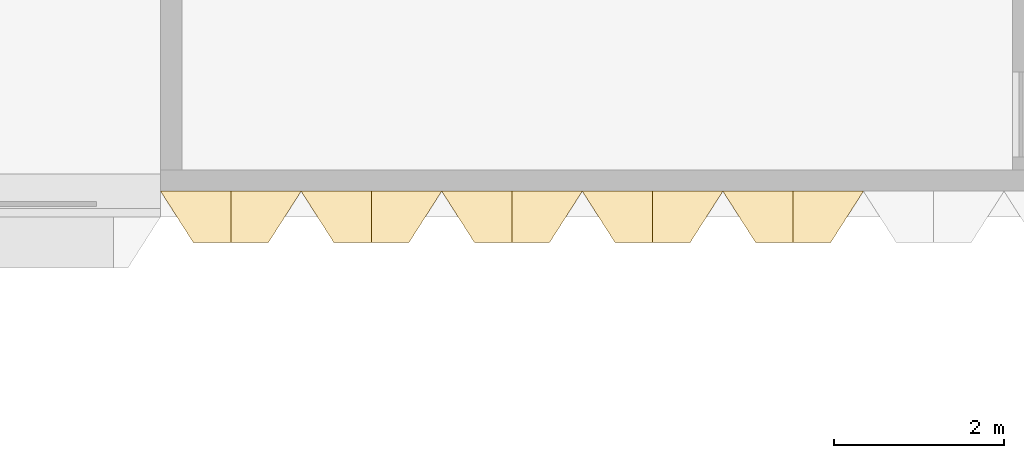
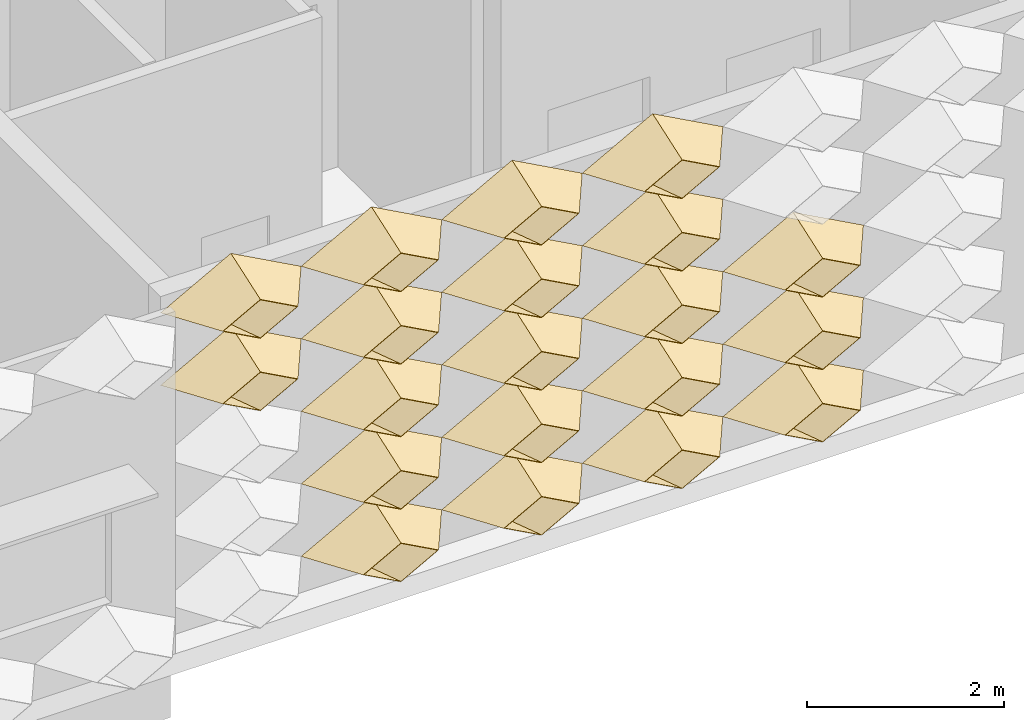
# One storey, part 73 of 87: 20 coverings.
"""IFC4 building model written with IfcOpenShell, lengths in metres."""

from ifc_helpers import new_model, entity, si_unit, direction, frame, origin, place, context, subcontext, project, spatial, material, layer, layer_set, type_object, element, save


model = new_model("IFC4")

# Units and contexts
model_context = context("Model", 3, precision=1e-05, world=origin(), true_north=direction((0.0, 1.0)))
body_context = subcontext(model_context, "Body", "Model", "MODEL_VIEW")
ifc_project = project(units=[si_unit("LENGTHUNIT", "METRE"), si_unit("AREAUNIT", "SQUARE_METRE"), si_unit("VOLUMEUNIT", "CUBIC_METRE"), si_unit("PLANEANGLEUNIT", "RADIAN"), si_unit("MASSUNIT", "GRAM", prefix="KILO")], contexts=[model_context])

# Site, building, storey
site_placement = place(None, origin())
site = spatial("IfcSite", under=ifc_project, at=site_placement, CompositionType="ELEMENT")
building_placement = place(site_placement, origin())
building = spatial("IfcBuilding", under=site, at=building_placement, Name="Lantern Court Research Institute", CompositionType="ELEMENT")
storey_placement = place(building_placement, frame((0.0, 0.0, 5.39990234375)))
storey = spatial("IfcBuildingStorey", under=building, at=storey_placement, Name="L01", CompositionType="ELEMENT", Elevation=5.39990234375)

# Coverings
ifc_material = material(Name="Anodised aluminium", Category="aluminium")
ifc_layer = layer(ifc_material, 0.01611328125)
ifc_layer_set = layer_set([ifc_layer], Name="Anodised aluminium")
covering_type = type_object("IfcCoveringType", Name="Fin cassette 1650 x 900 x 600 aluminium", PredefinedType="CLADDING", material=ifc_layer_set)
covering_1_placement = place(storey_placement, frame((42.074951171875, 82.5, 0.4501953125), z_axis=(0.0, -1.0, 0.0), x_axis=(1.0, 0.0, 0.0)))
cartesian_point_1 = entity("IfcCartesianPoint", [0.824951171875, 0.0])
cartesian_point_2 = entity("IfcCartesianPoint", [0.79150390625, 0.0])
cartesian_point_3 = entity("IfcCartesianPoint", [0.44189453125, 0.0])
cartesian_point_4 = entity("IfcCartesianPoint", [0.43359375, 0.0])
element("IfcCovering", 1, at=covering_1_placement, inside=storey, type_object=covering_type, Name="Fin cassette V6S-L01 1.26", PredefinedType="CLADDING", context=body_context, shape_type="SweptSolid", body=[
    entity("IfcExtrudedAreaSolidTapered", entity("IfcArbitraryProfileDefWithVoids", "AREA", None, entity("IfcPolyline", [cartesian_point_1, entity("IfcCartesianPoint", [0.0, 0.449951171875]), entity("IfcCartesianPoint", [-0.824951171875, 0.0]), entity("IfcCartesianPoint", [0.0, -0.449951171875]), cartesian_point_1]), [entity("IfcPolyline", [cartesian_point_2, entity("IfcCartesianPoint", [0.0, 0.431884765625]), entity("IfcCartesianPoint", [-0.79150390625, 0.0]), entity("IfcCartesianPoint", [0.0, -0.431884765625]), cartesian_point_2])]), entity("IfcAxis2Placement3D", entity("IfcCartesianPoint", [0.0, 0.0, 0.0])), entity("IfcDirection", [0.0, 0.0, 1.0]), 0.60009765625, entity("IfcArbitraryProfileDefWithVoids", "AREA", None, entity("IfcPolyline", [cartesian_point_3, entity("IfcCartesianPoint", [0.0, 0.240966796875]), entity("IfcCartesianPoint", [-0.44189453125, 0.0]), entity("IfcCartesianPoint", [0.0, -0.240966796875]), cartesian_point_3]), [entity("IfcPolyline", [cartesian_point_4, entity("IfcCartesianPoint", [0.0, 0.236572265625]), entity("IfcCartesianPoint", [-0.43359375, 0.0]), entity("IfcCartesianPoint", [0.0, -0.236572265625]), cartesian_point_4])])),
])
covering_2_placement = place(storey_placement, frame((43.72509765625, 82.5, 0.4501953125), z_axis=(0.0, -1.0, 0.0), x_axis=(1.0, 0.0, 0.0)))
cartesian_point_5 = entity("IfcCartesianPoint", [0.824951171875, 0.0])
cartesian_point_6 = entity("IfcCartesianPoint", [0.79150390625, 0.0])
cartesian_point_7 = entity("IfcCartesianPoint", [0.44189453125, 0.0])
cartesian_point_8 = entity("IfcCartesianPoint", [0.43359375, 0.0])
element("IfcCovering", 2, at=covering_2_placement, inside=storey, type_object=covering_type, Name="Fin cassette V6S-L01 1.27", PredefinedType="CLADDING", context=body_context, shape_type="SweptSolid", body=[
    entity("IfcExtrudedAreaSolidTapered", entity("IfcArbitraryProfileDefWithVoids", "AREA", None, entity("IfcPolyline", [cartesian_point_5, entity("IfcCartesianPoint", [0.0, 0.449951171875]), entity("IfcCartesianPoint", [-0.824951171875, 0.0]), entity("IfcCartesianPoint", [0.0, -0.449951171875]), cartesian_point_5]), [entity("IfcPolyline", [cartesian_point_6, entity("IfcCartesianPoint", [0.0, 0.431884765625]), entity("IfcCartesianPoint", [-0.79150390625, 0.0]), entity("IfcCartesianPoint", [0.0, -0.431884765625]), cartesian_point_6])]), entity("IfcAxis2Placement3D", entity("IfcCartesianPoint", [0.0, 0.0, 0.0])), entity("IfcDirection", [0.0, 0.0, 1.0]), 0.60009765625, entity("IfcArbitraryProfileDefWithVoids", "AREA", None, entity("IfcPolyline", [cartesian_point_7, entity("IfcCartesianPoint", [0.0, 0.240966796875]), entity("IfcCartesianPoint", [-0.44189453125, 0.0]), entity("IfcCartesianPoint", [0.0, -0.240966796875]), cartesian_point_7]), [entity("IfcPolyline", [cartesian_point_8, entity("IfcCartesianPoint", [0.0, 0.236572265625]), entity("IfcCartesianPoint", [-0.43359375, 0.0]), entity("IfcCartesianPoint", [0.0, -0.236572265625]), cartesian_point_8])])),
])
covering_3_placement = place(storey_placement, frame((45.375, 82.5, 0.4501953125), z_axis=(0.0, -1.0, 0.0), x_axis=(1.0, 0.0, 0.0)))
cartesian_point_9 = entity("IfcCartesianPoint", [0.824951171875, 0.0])
cartesian_point_10 = entity("IfcCartesianPoint", [0.79150390625, 0.0])
cartesian_point_11 = entity("IfcCartesianPoint", [0.44189453125, 0.0])
cartesian_point_12 = entity("IfcCartesianPoint", [0.43359375, 0.0])
element("IfcCovering", 3, at=covering_3_placement, inside=storey, type_object=covering_type, Name="Fin cassette V6S-L01 1.28", PredefinedType="CLADDING", context=body_context, shape_type="SweptSolid", body=[
    entity("IfcExtrudedAreaSolidTapered", entity("IfcArbitraryProfileDefWithVoids", "AREA", None, entity("IfcPolyline", [cartesian_point_9, entity("IfcCartesianPoint", [0.0, 0.449951171875]), entity("IfcCartesianPoint", [-0.824951171875, 0.0]), entity("IfcCartesianPoint", [0.0, -0.449951171875]), cartesian_point_9]), [entity("IfcPolyline", [cartesian_point_10, entity("IfcCartesianPoint", [0.0, 0.431884765625]), entity("IfcCartesianPoint", [-0.79150390625, 0.0]), entity("IfcCartesianPoint", [0.0, -0.431884765625]), cartesian_point_10])]), entity("IfcAxis2Placement3D", entity("IfcCartesianPoint", [0.0, 0.0, 0.0])), entity("IfcDirection", [0.0, 0.0, 1.0]), 0.60009765625, entity("IfcArbitraryProfileDefWithVoids", "AREA", None, entity("IfcPolyline", [cartesian_point_11, entity("IfcCartesianPoint", [0.0, 0.240966796875]), entity("IfcCartesianPoint", [-0.44189453125, 0.0]), entity("IfcCartesianPoint", [0.0, -0.240966796875]), cartesian_point_11]), [entity("IfcPolyline", [cartesian_point_12, entity("IfcCartesianPoint", [0.0, 0.236572265625]), entity("IfcCartesianPoint", [-0.43359375, 0.0]), entity("IfcCartesianPoint", [0.0, -0.236572265625]), cartesian_point_12])])),
])
covering_4_placement = place(storey_placement, frame((47.02490234375, 82.5, 0.4501953125), z_axis=(0.0, -1.0, 0.0), x_axis=(1.0, 0.0, 0.0)))
cartesian_point_13 = entity("IfcCartesianPoint", [0.824951171875, 0.0])
cartesian_point_14 = entity("IfcCartesianPoint", [0.79150390625, 0.0])
cartesian_point_15 = entity("IfcCartesianPoint", [0.44189453125, 0.0])
cartesian_point_16 = entity("IfcCartesianPoint", [0.43359375, 0.0])
element("IfcCovering", 4, at=covering_4_placement, inside=storey, type_object=covering_type, Name="Fin cassette V6S-L01 1.29", PredefinedType="CLADDING", context=body_context, shape_type="SweptSolid", body=[
    entity("IfcExtrudedAreaSolidTapered", entity("IfcArbitraryProfileDefWithVoids", "AREA", None, entity("IfcPolyline", [cartesian_point_13, entity("IfcCartesianPoint", [0.0, 0.449951171875]), entity("IfcCartesianPoint", [-0.824951171875, 0.0]), entity("IfcCartesianPoint", [0.0, -0.449951171875]), cartesian_point_13]), [entity("IfcPolyline", [cartesian_point_14, entity("IfcCartesianPoint", [0.0, 0.431884765625]), entity("IfcCartesianPoint", [-0.79150390625, 0.0]), entity("IfcCartesianPoint", [0.0, -0.431884765625]), cartesian_point_14])]), entity("IfcAxis2Placement3D", entity("IfcCartesianPoint", [0.0, 0.0, 0.0])), entity("IfcDirection", [0.0, 0.0, 1.0]), 0.60009765625, entity("IfcArbitraryProfileDefWithVoids", "AREA", None, entity("IfcPolyline", [cartesian_point_15, entity("IfcCartesianPoint", [0.0, 0.240966796875]), entity("IfcCartesianPoint", [-0.44189453125, 0.0]), entity("IfcCartesianPoint", [0.0, -0.240966796875]), cartesian_point_15]), [entity("IfcPolyline", [cartesian_point_16, entity("IfcCartesianPoint", [0.0, 0.236572265625]), entity("IfcCartesianPoint", [-0.43359375, 0.0]), entity("IfcCartesianPoint", [0.0, -0.236572265625]), cartesian_point_16])])),
])
covering_5_placement = place(storey_placement, frame((42.074951171875, 82.5, 1.35009765625), z_axis=(0.0, -1.0, 0.0), x_axis=(1.0, 0.0, 0.0)))
cartesian_point_17 = entity("IfcCartesianPoint", [0.824951171875, 0.0])
cartesian_point_18 = entity("IfcCartesianPoint", [0.79150390625, 0.0])
cartesian_point_19 = entity("IfcCartesianPoint", [0.44189453125, 0.0])
cartesian_point_20 = entity("IfcCartesianPoint", [0.43359375, 0.0])
element("IfcCovering", 5, at=covering_5_placement, inside=storey, type_object=covering_type, Name="Fin cassette V6S-L01 2.26", PredefinedType="CLADDING", context=body_context, shape_type="SweptSolid", body=[
    entity("IfcExtrudedAreaSolidTapered", entity("IfcArbitraryProfileDefWithVoids", "AREA", None, entity("IfcPolyline", [cartesian_point_17, entity("IfcCartesianPoint", [0.0, 0.449951171875]), entity("IfcCartesianPoint", [-0.824951171875, 0.0]), entity("IfcCartesianPoint", [0.0, -0.449951171875]), cartesian_point_17]), [entity("IfcPolyline", [cartesian_point_18, entity("IfcCartesianPoint", [0.0, 0.431884765625]), entity("IfcCartesianPoint", [-0.79150390625, 0.0]), entity("IfcCartesianPoint", [0.0, -0.431884765625]), cartesian_point_18])]), entity("IfcAxis2Placement3D", entity("IfcCartesianPoint", [0.0, 0.0, 0.0])), entity("IfcDirection", [0.0, 0.0, 1.0]), 0.60009765625, entity("IfcArbitraryProfileDefWithVoids", "AREA", None, entity("IfcPolyline", [cartesian_point_19, entity("IfcCartesianPoint", [0.0, 0.240966796875]), entity("IfcCartesianPoint", [-0.44189453125, 0.0]), entity("IfcCartesianPoint", [0.0, -0.240966796875]), cartesian_point_19]), [entity("IfcPolyline", [cartesian_point_20, entity("IfcCartesianPoint", [0.0, 0.236572265625]), entity("IfcCartesianPoint", [-0.43359375, 0.0]), entity("IfcCartesianPoint", [0.0, -0.236572265625]), cartesian_point_20])])),
])
covering_6_placement = place(storey_placement, frame((43.72509765625, 82.5, 1.35009765625), z_axis=(0.0, -1.0, 0.0), x_axis=(1.0, 0.0, 0.0)))
cartesian_point_21 = entity("IfcCartesianPoint", [0.824951171875, 0.0])
cartesian_point_22 = entity("IfcCartesianPoint", [0.79150390625, 0.0])
cartesian_point_23 = entity("IfcCartesianPoint", [0.44189453125, 0.0])
cartesian_point_24 = entity("IfcCartesianPoint", [0.43359375, 0.0])
element("IfcCovering", 6, at=covering_6_placement, inside=storey, type_object=covering_type, Name="Fin cassette V6S-L01 2.27", PredefinedType="CLADDING", context=body_context, shape_type="SweptSolid", body=[
    entity("IfcExtrudedAreaSolidTapered", entity("IfcArbitraryProfileDefWithVoids", "AREA", None, entity("IfcPolyline", [cartesian_point_21, entity("IfcCartesianPoint", [0.0, 0.449951171875]), entity("IfcCartesianPoint", [-0.824951171875, 0.0]), entity("IfcCartesianPoint", [0.0, -0.449951171875]), cartesian_point_21]), [entity("IfcPolyline", [cartesian_point_22, entity("IfcCartesianPoint", [0.0, 0.431884765625]), entity("IfcCartesianPoint", [-0.79150390625, 0.0]), entity("IfcCartesianPoint", [0.0, -0.431884765625]), cartesian_point_22])]), entity("IfcAxis2Placement3D", entity("IfcCartesianPoint", [0.0, 0.0, 0.0])), entity("IfcDirection", [0.0, 0.0, 1.0]), 0.60009765625, entity("IfcArbitraryProfileDefWithVoids", "AREA", None, entity("IfcPolyline", [cartesian_point_23, entity("IfcCartesianPoint", [0.0, 0.240966796875]), entity("IfcCartesianPoint", [-0.44189453125, 0.0]), entity("IfcCartesianPoint", [0.0, -0.240966796875]), cartesian_point_23]), [entity("IfcPolyline", [cartesian_point_24, entity("IfcCartesianPoint", [0.0, 0.236572265625]), entity("IfcCartesianPoint", [-0.43359375, 0.0]), entity("IfcCartesianPoint", [0.0, -0.236572265625]), cartesian_point_24])])),
])
covering_7_placement = place(storey_placement, frame((45.375, 82.5, 1.35009765625), z_axis=(0.0, -1.0, 0.0), x_axis=(1.0, 0.0, 0.0)))
cartesian_point_25 = entity("IfcCartesianPoint", [0.824951171875, 0.0])
cartesian_point_26 = entity("IfcCartesianPoint", [0.79150390625, 0.0])
cartesian_point_27 = entity("IfcCartesianPoint", [0.44189453125, 0.0])
cartesian_point_28 = entity("IfcCartesianPoint", [0.43359375, 0.0])
element("IfcCovering", 7, at=covering_7_placement, inside=storey, type_object=covering_type, Name="Fin cassette V6S-L01 2.28", PredefinedType="CLADDING", context=body_context, shape_type="SweptSolid", body=[
    entity("IfcExtrudedAreaSolidTapered", entity("IfcArbitraryProfileDefWithVoids", "AREA", None, entity("IfcPolyline", [cartesian_point_25, entity("IfcCartesianPoint", [0.0, 0.449951171875]), entity("IfcCartesianPoint", [-0.824951171875, 0.0]), entity("IfcCartesianPoint", [0.0, -0.449951171875]), cartesian_point_25]), [entity("IfcPolyline", [cartesian_point_26, entity("IfcCartesianPoint", [0.0, 0.431884765625]), entity("IfcCartesianPoint", [-0.79150390625, 0.0]), entity("IfcCartesianPoint", [0.0, -0.431884765625]), cartesian_point_26])]), entity("IfcAxis2Placement3D", entity("IfcCartesianPoint", [0.0, 0.0, 0.0])), entity("IfcDirection", [0.0, 0.0, 1.0]), 0.60009765625, entity("IfcArbitraryProfileDefWithVoids", "AREA", None, entity("IfcPolyline", [cartesian_point_27, entity("IfcCartesianPoint", [0.0, 0.240966796875]), entity("IfcCartesianPoint", [-0.44189453125, 0.0]), entity("IfcCartesianPoint", [0.0, -0.240966796875]), cartesian_point_27]), [entity("IfcPolyline", [cartesian_point_28, entity("IfcCartesianPoint", [0.0, 0.236572265625]), entity("IfcCartesianPoint", [-0.43359375, 0.0]), entity("IfcCartesianPoint", [0.0, -0.236572265625]), cartesian_point_28])])),
])
covering_8_placement = place(storey_placement, frame((47.02490234375, 82.5, 1.35009765625), z_axis=(0.0, -1.0, 0.0), x_axis=(1.0, 0.0, 0.0)))
cartesian_point_29 = entity("IfcCartesianPoint", [0.824951171875, 0.0])
cartesian_point_30 = entity("IfcCartesianPoint", [0.79150390625, 0.0])
cartesian_point_31 = entity("IfcCartesianPoint", [0.44189453125, 0.0])
cartesian_point_32 = entity("IfcCartesianPoint", [0.43359375, 0.0])
element("IfcCovering", 8, at=covering_8_placement, inside=storey, type_object=covering_type, Name="Fin cassette V6S-L01 2.29", PredefinedType="CLADDING", context=body_context, shape_type="SweptSolid", body=[
    entity("IfcExtrudedAreaSolidTapered", entity("IfcArbitraryProfileDefWithVoids", "AREA", None, entity("IfcPolyline", [cartesian_point_29, entity("IfcCartesianPoint", [0.0, 0.449951171875]), entity("IfcCartesianPoint", [-0.824951171875, 0.0]), entity("IfcCartesianPoint", [0.0, -0.449951171875]), cartesian_point_29]), [entity("IfcPolyline", [cartesian_point_30, entity("IfcCartesianPoint", [0.0, 0.431884765625]), entity("IfcCartesianPoint", [-0.79150390625, 0.0]), entity("IfcCartesianPoint", [0.0, -0.431884765625]), cartesian_point_30])]), entity("IfcAxis2Placement3D", entity("IfcCartesianPoint", [0.0, 0.0, 0.0])), entity("IfcDirection", [0.0, 0.0, 1.0]), 0.60009765625, entity("IfcArbitraryProfileDefWithVoids", "AREA", None, entity("IfcPolyline", [cartesian_point_31, entity("IfcCartesianPoint", [0.0, 0.240966796875]), entity("IfcCartesianPoint", [-0.44189453125, 0.0]), entity("IfcCartesianPoint", [0.0, -0.240966796875]), cartesian_point_31]), [entity("IfcPolyline", [cartesian_point_32, entity("IfcCartesianPoint", [0.0, 0.236572265625]), entity("IfcCartesianPoint", [-0.43359375, 0.0]), entity("IfcCartesianPoint", [0.0, -0.236572265625]), cartesian_point_32])])),
])
covering_9_placement = place(storey_placement, frame((42.074951171875, 82.5, 2.25), z_axis=(0.0, -1.0, 0.0), x_axis=(1.0, 0.0, 0.0)))
cartesian_point_33 = entity("IfcCartesianPoint", [0.824951171875, 0.0])
cartesian_point_34 = entity("IfcCartesianPoint", [0.79150390625, 0.0])
cartesian_point_35 = entity("IfcCartesianPoint", [0.44189453125, 0.0])
cartesian_point_36 = entity("IfcCartesianPoint", [0.43359375, 0.0])
element("IfcCovering", 9, at=covering_9_placement, inside=storey, type_object=covering_type, Name="Fin cassette V6S-L01 3.26", PredefinedType="CLADDING", context=body_context, shape_type="SweptSolid", body=[
    entity("IfcExtrudedAreaSolidTapered", entity("IfcArbitraryProfileDefWithVoids", "AREA", None, entity("IfcPolyline", [cartesian_point_33, entity("IfcCartesianPoint", [0.0, 0.449951171875]), entity("IfcCartesianPoint", [-0.824951171875, 0.0]), entity("IfcCartesianPoint", [0.0, -0.449951171875]), cartesian_point_33]), [entity("IfcPolyline", [cartesian_point_34, entity("IfcCartesianPoint", [0.0, 0.431884765625]), entity("IfcCartesianPoint", [-0.79150390625, 0.0]), entity("IfcCartesianPoint", [0.0, -0.431884765625]), cartesian_point_34])]), entity("IfcAxis2Placement3D", entity("IfcCartesianPoint", [0.0, 0.0, 0.0])), entity("IfcDirection", [0.0, 0.0, 1.0]), 0.60009765625, entity("IfcArbitraryProfileDefWithVoids", "AREA", None, entity("IfcPolyline", [cartesian_point_35, entity("IfcCartesianPoint", [0.0, 0.240966796875]), entity("IfcCartesianPoint", [-0.44189453125, 0.0]), entity("IfcCartesianPoint", [0.0, -0.240966796875]), cartesian_point_35]), [entity("IfcPolyline", [cartesian_point_36, entity("IfcCartesianPoint", [0.0, 0.236572265625]), entity("IfcCartesianPoint", [-0.43359375, 0.0]), entity("IfcCartesianPoint", [0.0, -0.236572265625]), cartesian_point_36])])),
])
covering_10_placement = place(storey_placement, frame((43.72509765625, 82.5, 2.25), z_axis=(0.0, -1.0, 0.0), x_axis=(1.0, 0.0, 0.0)))
cartesian_point_37 = entity("IfcCartesianPoint", [0.824951171875, 0.0])
cartesian_point_38 = entity("IfcCartesianPoint", [0.79150390625, 0.0])
cartesian_point_39 = entity("IfcCartesianPoint", [0.44189453125, 0.0])
cartesian_point_40 = entity("IfcCartesianPoint", [0.43359375, 0.0])
element("IfcCovering", 10, at=covering_10_placement, inside=storey, type_object=covering_type, Name="Fin cassette V6S-L01 3.27", PredefinedType="CLADDING", context=body_context, shape_type="SweptSolid", body=[
    entity("IfcExtrudedAreaSolidTapered", entity("IfcArbitraryProfileDefWithVoids", "AREA", None, entity("IfcPolyline", [cartesian_point_37, entity("IfcCartesianPoint", [0.0, 0.449951171875]), entity("IfcCartesianPoint", [-0.824951171875, 0.0]), entity("IfcCartesianPoint", [0.0, -0.449951171875]), cartesian_point_37]), [entity("IfcPolyline", [cartesian_point_38, entity("IfcCartesianPoint", [0.0, 0.431884765625]), entity("IfcCartesianPoint", [-0.79150390625, 0.0]), entity("IfcCartesianPoint", [0.0, -0.431884765625]), cartesian_point_38])]), entity("IfcAxis2Placement3D", entity("IfcCartesianPoint", [0.0, 0.0, 0.0])), entity("IfcDirection", [0.0, 0.0, 1.0]), 0.60009765625, entity("IfcArbitraryProfileDefWithVoids", "AREA", None, entity("IfcPolyline", [cartesian_point_39, entity("IfcCartesianPoint", [0.0, 0.240966796875]), entity("IfcCartesianPoint", [-0.44189453125, 0.0]), entity("IfcCartesianPoint", [0.0, -0.240966796875]), cartesian_point_39]), [entity("IfcPolyline", [cartesian_point_40, entity("IfcCartesianPoint", [0.0, 0.236572265625]), entity("IfcCartesianPoint", [-0.43359375, 0.0]), entity("IfcCartesianPoint", [0.0, -0.236572265625]), cartesian_point_40])])),
])
covering_11_placement = place(storey_placement, frame((45.375, 82.5, 2.25), z_axis=(0.0, -1.0, 0.0), x_axis=(1.0, 0.0, 0.0)))
cartesian_point_41 = entity("IfcCartesianPoint", [0.824951171875, 0.0])
cartesian_point_42 = entity("IfcCartesianPoint", [0.79150390625, 0.0])
cartesian_point_43 = entity("IfcCartesianPoint", [0.44189453125, 0.0])
cartesian_point_44 = entity("IfcCartesianPoint", [0.43359375, 0.0])
element("IfcCovering", 11, at=covering_11_placement, inside=storey, type_object=covering_type, Name="Fin cassette V6S-L01 3.28", PredefinedType="CLADDING", context=body_context, shape_type="SweptSolid", body=[
    entity("IfcExtrudedAreaSolidTapered", entity("IfcArbitraryProfileDefWithVoids", "AREA", None, entity("IfcPolyline", [cartesian_point_41, entity("IfcCartesianPoint", [0.0, 0.449951171875]), entity("IfcCartesianPoint", [-0.824951171875, 0.0]), entity("IfcCartesianPoint", [0.0, -0.449951171875]), cartesian_point_41]), [entity("IfcPolyline", [cartesian_point_42, entity("IfcCartesianPoint", [0.0, 0.431884765625]), entity("IfcCartesianPoint", [-0.79150390625, 0.0]), entity("IfcCartesianPoint", [0.0, -0.431884765625]), cartesian_point_42])]), entity("IfcAxis2Placement3D", entity("IfcCartesianPoint", [0.0, 0.0, 0.0])), entity("IfcDirection", [0.0, 0.0, 1.0]), 0.60009765625, entity("IfcArbitraryProfileDefWithVoids", "AREA", None, entity("IfcPolyline", [cartesian_point_43, entity("IfcCartesianPoint", [0.0, 0.240966796875]), entity("IfcCartesianPoint", [-0.44189453125, 0.0]), entity("IfcCartesianPoint", [0.0, -0.240966796875]), cartesian_point_43]), [entity("IfcPolyline", [cartesian_point_44, entity("IfcCartesianPoint", [0.0, 0.236572265625]), entity("IfcCartesianPoint", [-0.43359375, 0.0]), entity("IfcCartesianPoint", [0.0, -0.236572265625]), cartesian_point_44])])),
])
covering_12_placement = place(storey_placement, frame((47.02490234375, 82.5, 2.25), z_axis=(0.0, -1.0, 0.0), x_axis=(1.0, 0.0, 0.0)))
cartesian_point_45 = entity("IfcCartesianPoint", [0.824951171875, 0.0])
cartesian_point_46 = entity("IfcCartesianPoint", [0.79150390625, 0.0])
cartesian_point_47 = entity("IfcCartesianPoint", [0.44189453125, 0.0])
cartesian_point_48 = entity("IfcCartesianPoint", [0.43359375, 0.0])
element("IfcCovering", 12, at=covering_12_placement, inside=storey, type_object=covering_type, Name="Fin cassette V6S-L01 3.29", PredefinedType="CLADDING", context=body_context, shape_type="SweptSolid", body=[
    entity("IfcExtrudedAreaSolidTapered", entity("IfcArbitraryProfileDefWithVoids", "AREA", None, entity("IfcPolyline", [cartesian_point_45, entity("IfcCartesianPoint", [0.0, 0.449951171875]), entity("IfcCartesianPoint", [-0.824951171875, 0.0]), entity("IfcCartesianPoint", [0.0, -0.449951171875]), cartesian_point_45]), [entity("IfcPolyline", [cartesian_point_46, entity("IfcCartesianPoint", [0.0, 0.431884765625]), entity("IfcCartesianPoint", [-0.79150390625, 0.0]), entity("IfcCartesianPoint", [0.0, -0.431884765625]), cartesian_point_46])]), entity("IfcAxis2Placement3D", entity("IfcCartesianPoint", [0.0, 0.0, 0.0])), entity("IfcDirection", [0.0, 0.0, 1.0]), 0.60009765625, entity("IfcArbitraryProfileDefWithVoids", "AREA", None, entity("IfcPolyline", [cartesian_point_47, entity("IfcCartesianPoint", [0.0, 0.240966796875]), entity("IfcCartesianPoint", [-0.44189453125, 0.0]), entity("IfcCartesianPoint", [0.0, -0.240966796875]), cartesian_point_47]), [entity("IfcPolyline", [cartesian_point_48, entity("IfcCartesianPoint", [0.0, 0.236572265625]), entity("IfcCartesianPoint", [-0.43359375, 0.0]), entity("IfcCartesianPoint", [0.0, -0.236572265625]), cartesian_point_48])])),
])
covering_13_placement = place(storey_placement, frame((40.425048828125, 82.5, 3.150146484375), z_axis=(0.0, -1.0, 0.0), x_axis=(1.0, 0.0, 0.0)))
cartesian_point_49 = entity("IfcCartesianPoint", [0.824951171875, 0.0])
cartesian_point_50 = entity("IfcCartesianPoint", [0.79150390625, 0.0])
cartesian_point_51 = entity("IfcCartesianPoint", [0.44189453125, 0.0])
cartesian_point_52 = entity("IfcCartesianPoint", [0.43359375, 0.0])
element("IfcCovering", 13, at=covering_13_placement, inside=storey, type_object=covering_type, Name="Fin cassette V6S-L01 4.25", PredefinedType="CLADDING", context=body_context, shape_type="SweptSolid", body=[
    entity("IfcExtrudedAreaSolidTapered", entity("IfcArbitraryProfileDefWithVoids", "AREA", None, entity("IfcPolyline", [cartesian_point_49, entity("IfcCartesianPoint", [0.0, 0.449951171875]), entity("IfcCartesianPoint", [-0.824951171875, 0.0]), entity("IfcCartesianPoint", [0.0, -0.449951171875]), cartesian_point_49]), [entity("IfcPolyline", [cartesian_point_50, entity("IfcCartesianPoint", [0.0, 0.431884765625]), entity("IfcCartesianPoint", [-0.79150390625, 0.0]), entity("IfcCartesianPoint", [0.0, -0.431884765625]), cartesian_point_50])]), entity("IfcAxis2Placement3D", entity("IfcCartesianPoint", [0.0, 0.0, 0.0])), entity("IfcDirection", [0.0, 0.0, 1.0]), 0.60009765625, entity("IfcArbitraryProfileDefWithVoids", "AREA", None, entity("IfcPolyline", [cartesian_point_51, entity("IfcCartesianPoint", [0.0, 0.240966796875]), entity("IfcCartesianPoint", [-0.44189453125, 0.0]), entity("IfcCartesianPoint", [0.0, -0.240966796875]), cartesian_point_51]), [entity("IfcPolyline", [cartesian_point_52, entity("IfcCartesianPoint", [0.0, 0.236572265625]), entity("IfcCartesianPoint", [-0.43359375, 0.0]), entity("IfcCartesianPoint", [0.0, -0.236572265625]), cartesian_point_52])])),
])
covering_14_placement = place(storey_placement, frame((42.074951171875, 82.5, 3.150146484375), z_axis=(0.0, -1.0, 0.0), x_axis=(1.0, 0.0, 0.0)))
cartesian_point_53 = entity("IfcCartesianPoint", [0.824951171875, 0.0])
cartesian_point_54 = entity("IfcCartesianPoint", [0.79150390625, 0.0])
cartesian_point_55 = entity("IfcCartesianPoint", [0.44189453125, 0.0])
cartesian_point_56 = entity("IfcCartesianPoint", [0.43359375, 0.0])
element("IfcCovering", 14, at=covering_14_placement, inside=storey, type_object=covering_type, Name="Fin cassette V6S-L01 4.26", PredefinedType="CLADDING", context=body_context, shape_type="SweptSolid", body=[
    entity("IfcExtrudedAreaSolidTapered", entity("IfcArbitraryProfileDefWithVoids", "AREA", None, entity("IfcPolyline", [cartesian_point_53, entity("IfcCartesianPoint", [0.0, 0.449951171875]), entity("IfcCartesianPoint", [-0.824951171875, 0.0]), entity("IfcCartesianPoint", [0.0, -0.449951171875]), cartesian_point_53]), [entity("IfcPolyline", [cartesian_point_54, entity("IfcCartesianPoint", [0.0, 0.431884765625]), entity("IfcCartesianPoint", [-0.79150390625, 0.0]), entity("IfcCartesianPoint", [0.0, -0.431884765625]), cartesian_point_54])]), entity("IfcAxis2Placement3D", entity("IfcCartesianPoint", [0.0, 0.0, 0.0])), entity("IfcDirection", [0.0, 0.0, 1.0]), 0.60009765625, entity("IfcArbitraryProfileDefWithVoids", "AREA", None, entity("IfcPolyline", [cartesian_point_55, entity("IfcCartesianPoint", [0.0, 0.240966796875]), entity("IfcCartesianPoint", [-0.44189453125, 0.0]), entity("IfcCartesianPoint", [0.0, -0.240966796875]), cartesian_point_55]), [entity("IfcPolyline", [cartesian_point_56, entity("IfcCartesianPoint", [0.0, 0.236572265625]), entity("IfcCartesianPoint", [-0.43359375, 0.0]), entity("IfcCartesianPoint", [0.0, -0.236572265625]), cartesian_point_56])])),
])
covering_15_placement = place(storey_placement, frame((43.72509765625, 82.5, 3.150146484375), z_axis=(0.0, -1.0, 0.0), x_axis=(1.0, 0.0, 0.0)))
cartesian_point_57 = entity("IfcCartesianPoint", [0.824951171875, 0.0])
cartesian_point_58 = entity("IfcCartesianPoint", [0.79150390625, 0.0])
cartesian_point_59 = entity("IfcCartesianPoint", [0.44189453125, 0.0])
cartesian_point_60 = entity("IfcCartesianPoint", [0.43359375, 0.0])
element("IfcCovering", 15, at=covering_15_placement, inside=storey, type_object=covering_type, Name="Fin cassette V6S-L01 4.27", PredefinedType="CLADDING", context=body_context, shape_type="SweptSolid", body=[
    entity("IfcExtrudedAreaSolidTapered", entity("IfcArbitraryProfileDefWithVoids", "AREA", None, entity("IfcPolyline", [cartesian_point_57, entity("IfcCartesianPoint", [0.0, 0.449951171875]), entity("IfcCartesianPoint", [-0.824951171875, 0.0]), entity("IfcCartesianPoint", [0.0, -0.449951171875]), cartesian_point_57]), [entity("IfcPolyline", [cartesian_point_58, entity("IfcCartesianPoint", [0.0, 0.431884765625]), entity("IfcCartesianPoint", [-0.79150390625, 0.0]), entity("IfcCartesianPoint", [0.0, -0.431884765625]), cartesian_point_58])]), entity("IfcAxis2Placement3D", entity("IfcCartesianPoint", [0.0, 0.0, 0.0])), entity("IfcDirection", [0.0, 0.0, 1.0]), 0.60009765625, entity("IfcArbitraryProfileDefWithVoids", "AREA", None, entity("IfcPolyline", [cartesian_point_59, entity("IfcCartesianPoint", [0.0, 0.240966796875]), entity("IfcCartesianPoint", [-0.44189453125, 0.0]), entity("IfcCartesianPoint", [0.0, -0.240966796875]), cartesian_point_59]), [entity("IfcPolyline", [cartesian_point_60, entity("IfcCartesianPoint", [0.0, 0.236572265625]), entity("IfcCartesianPoint", [-0.43359375, 0.0]), entity("IfcCartesianPoint", [0.0, -0.236572265625]), cartesian_point_60])])),
])
covering_16_placement = place(storey_placement, frame((45.375, 82.5, 3.150146484375), z_axis=(0.0, -1.0, 0.0), x_axis=(1.0, 0.0, 0.0)))
cartesian_point_61 = entity("IfcCartesianPoint", [0.824951171875, 0.0])
cartesian_point_62 = entity("IfcCartesianPoint", [0.79150390625, 0.0])
cartesian_point_63 = entity("IfcCartesianPoint", [0.44189453125, 0.0])
cartesian_point_64 = entity("IfcCartesianPoint", [0.43359375, 0.0])
element("IfcCovering", 16, at=covering_16_placement, inside=storey, type_object=covering_type, Name="Fin cassette V6S-L01 4.28", PredefinedType="CLADDING", context=body_context, shape_type="SweptSolid", body=[
    entity("IfcExtrudedAreaSolidTapered", entity("IfcArbitraryProfileDefWithVoids", "AREA", None, entity("IfcPolyline", [cartesian_point_61, entity("IfcCartesianPoint", [0.0, 0.449951171875]), entity("IfcCartesianPoint", [-0.824951171875, 0.0]), entity("IfcCartesianPoint", [0.0, -0.449951171875]), cartesian_point_61]), [entity("IfcPolyline", [cartesian_point_62, entity("IfcCartesianPoint", [0.0, 0.431884765625]), entity("IfcCartesianPoint", [-0.79150390625, 0.0]), entity("IfcCartesianPoint", [0.0, -0.431884765625]), cartesian_point_62])]), entity("IfcAxis2Placement3D", entity("IfcCartesianPoint", [0.0, 0.0, 0.0])), entity("IfcDirection", [0.0, 0.0, 1.0]), 0.60009765625, entity("IfcArbitraryProfileDefWithVoids", "AREA", None, entity("IfcPolyline", [cartesian_point_63, entity("IfcCartesianPoint", [0.0, 0.240966796875]), entity("IfcCartesianPoint", [-0.44189453125, 0.0]), entity("IfcCartesianPoint", [0.0, -0.240966796875]), cartesian_point_63]), [entity("IfcPolyline", [cartesian_point_64, entity("IfcCartesianPoint", [0.0, 0.236572265625]), entity("IfcCartesianPoint", [-0.43359375, 0.0]), entity("IfcCartesianPoint", [0.0, -0.236572265625]), cartesian_point_64])])),
])
covering_17_placement = place(storey_placement, frame((40.425048828125, 82.5, 4.050048828125), z_axis=(0.0, -1.0, 0.0), x_axis=(1.0, 0.0, 0.0)))
cartesian_point_65 = entity("IfcCartesianPoint", [0.824951171875, 0.0])
cartesian_point_66 = entity("IfcCartesianPoint", [0.79150390625, 0.0])
cartesian_point_67 = entity("IfcCartesianPoint", [0.44189453125, 0.0])
cartesian_point_68 = entity("IfcCartesianPoint", [0.43359375, 0.0])
element("IfcCovering", 17, at=covering_17_placement, inside=storey, type_object=covering_type, Name="Fin cassette V6S-L01 5.25", PredefinedType="CLADDING", context=body_context, shape_type="SweptSolid", body=[
    entity("IfcExtrudedAreaSolidTapered", entity("IfcArbitraryProfileDefWithVoids", "AREA", None, entity("IfcPolyline", [cartesian_point_65, entity("IfcCartesianPoint", [0.0, 0.449951171875]), entity("IfcCartesianPoint", [-0.824951171875, 0.0]), entity("IfcCartesianPoint", [0.0, -0.449951171875]), cartesian_point_65]), [entity("IfcPolyline", [cartesian_point_66, entity("IfcCartesianPoint", [0.0, 0.431884765625]), entity("IfcCartesianPoint", [-0.79150390625, 0.0]), entity("IfcCartesianPoint", [0.0, -0.431884765625]), cartesian_point_66])]), entity("IfcAxis2Placement3D", entity("IfcCartesianPoint", [0.0, 0.0, 0.0])), entity("IfcDirection", [0.0, 0.0, 1.0]), 0.60009765625, entity("IfcArbitraryProfileDefWithVoids", "AREA", None, entity("IfcPolyline", [cartesian_point_67, entity("IfcCartesianPoint", [0.0, 0.240966796875]), entity("IfcCartesianPoint", [-0.44189453125, 0.0]), entity("IfcCartesianPoint", [0.0, -0.240966796875]), cartesian_point_67]), [entity("IfcPolyline", [cartesian_point_68, entity("IfcCartesianPoint", [0.0, 0.236572265625]), entity("IfcCartesianPoint", [-0.43359375, 0.0]), entity("IfcCartesianPoint", [0.0, -0.236572265625]), cartesian_point_68])])),
])
covering_18_placement = place(storey_placement, frame((42.074951171875, 82.5, 4.050048828125), z_axis=(0.0, -1.0, 0.0), x_axis=(1.0, 0.0, 0.0)))
cartesian_point_69 = entity("IfcCartesianPoint", [0.824951171875, 0.0])
cartesian_point_70 = entity("IfcCartesianPoint", [0.79150390625, 0.0])
cartesian_point_71 = entity("IfcCartesianPoint", [0.44189453125, 0.0])
cartesian_point_72 = entity("IfcCartesianPoint", [0.43359375, 0.0])
element("IfcCovering", 18, at=covering_18_placement, inside=storey, type_object=covering_type, Name="Fin cassette V6S-L01 5.26", PredefinedType="CLADDING", context=body_context, shape_type="SweptSolid", body=[
    entity("IfcExtrudedAreaSolidTapered", entity("IfcArbitraryProfileDefWithVoids", "AREA", None, entity("IfcPolyline", [cartesian_point_69, entity("IfcCartesianPoint", [0.0, 0.449951171875]), entity("IfcCartesianPoint", [-0.824951171875, 0.0]), entity("IfcCartesianPoint", [0.0, -0.449951171875]), cartesian_point_69]), [entity("IfcPolyline", [cartesian_point_70, entity("IfcCartesianPoint", [0.0, 0.431884765625]), entity("IfcCartesianPoint", [-0.79150390625, 0.0]), entity("IfcCartesianPoint", [0.0, -0.431884765625]), cartesian_point_70])]), entity("IfcAxis2Placement3D", entity("IfcCartesianPoint", [0.0, 0.0, 0.0])), entity("IfcDirection", [0.0, 0.0, 1.0]), 0.60009765625, entity("IfcArbitraryProfileDefWithVoids", "AREA", None, entity("IfcPolyline", [cartesian_point_71, entity("IfcCartesianPoint", [0.0, 0.240966796875]), entity("IfcCartesianPoint", [-0.44189453125, 0.0]), entity("IfcCartesianPoint", [0.0, -0.240966796875]), cartesian_point_71]), [entity("IfcPolyline", [cartesian_point_72, entity("IfcCartesianPoint", [0.0, 0.236572265625]), entity("IfcCartesianPoint", [-0.43359375, 0.0]), entity("IfcCartesianPoint", [0.0, -0.236572265625]), cartesian_point_72])])),
])
covering_19_placement = place(storey_placement, frame((43.72509765625, 82.5, 4.050048828125), z_axis=(0.0, -1.0, 0.0), x_axis=(1.0, 0.0, 0.0)))
cartesian_point_73 = entity("IfcCartesianPoint", [0.824951171875, 0.0])
cartesian_point_74 = entity("IfcCartesianPoint", [0.79150390625, 0.0])
cartesian_point_75 = entity("IfcCartesianPoint", [0.44189453125, 0.0])
cartesian_point_76 = entity("IfcCartesianPoint", [0.43359375, 0.0])
element("IfcCovering", 19, at=covering_19_placement, inside=storey, type_object=covering_type, Name="Fin cassette V6S-L01 5.27", PredefinedType="CLADDING", context=body_context, shape_type="SweptSolid", body=[
    entity("IfcExtrudedAreaSolidTapered", entity("IfcArbitraryProfileDefWithVoids", "AREA", None, entity("IfcPolyline", [cartesian_point_73, entity("IfcCartesianPoint", [0.0, 0.449951171875]), entity("IfcCartesianPoint", [-0.824951171875, 0.0]), entity("IfcCartesianPoint", [0.0, -0.449951171875]), cartesian_point_73]), [entity("IfcPolyline", [cartesian_point_74, entity("IfcCartesianPoint", [0.0, 0.431884765625]), entity("IfcCartesianPoint", [-0.79150390625, 0.0]), entity("IfcCartesianPoint", [0.0, -0.431884765625]), cartesian_point_74])]), entity("IfcAxis2Placement3D", entity("IfcCartesianPoint", [0.0, 0.0, 0.0])), entity("IfcDirection", [0.0, 0.0, 1.0]), 0.60009765625, entity("IfcArbitraryProfileDefWithVoids", "AREA", None, entity("IfcPolyline", [cartesian_point_75, entity("IfcCartesianPoint", [0.0, 0.240966796875]), entity("IfcCartesianPoint", [-0.44189453125, 0.0]), entity("IfcCartesianPoint", [0.0, -0.240966796875]), cartesian_point_75]), [entity("IfcPolyline", [cartesian_point_76, entity("IfcCartesianPoint", [0.0, 0.236572265625]), entity("IfcCartesianPoint", [-0.43359375, 0.0]), entity("IfcCartesianPoint", [0.0, -0.236572265625]), cartesian_point_76])])),
])
covering_20_placement = place(storey_placement, frame((45.375, 82.5, 4.050048828125), z_axis=(0.0, -1.0, 0.0), x_axis=(1.0, 0.0, 0.0)))
cartesian_point_77 = entity("IfcCartesianPoint", [0.824951171875, 0.0])
cartesian_point_78 = entity("IfcCartesianPoint", [0.79150390625, 0.0])
cartesian_point_79 = entity("IfcCartesianPoint", [0.44189453125, 0.0])
cartesian_point_80 = entity("IfcCartesianPoint", [0.43359375, 0.0])
element("IfcCovering", 20, at=covering_20_placement, inside=storey, type_object=covering_type, Name="Fin cassette V6S-L01 5.28", PredefinedType="CLADDING", context=body_context, shape_type="SweptSolid", body=[
    entity("IfcExtrudedAreaSolidTapered", entity("IfcArbitraryProfileDefWithVoids", "AREA", None, entity("IfcPolyline", [cartesian_point_77, entity("IfcCartesianPoint", [0.0, 0.449951171875]), entity("IfcCartesianPoint", [-0.824951171875, 0.0]), entity("IfcCartesianPoint", [0.0, -0.449951171875]), cartesian_point_77]), [entity("IfcPolyline", [cartesian_point_78, entity("IfcCartesianPoint", [0.0, 0.431884765625]), entity("IfcCartesianPoint", [-0.79150390625, 0.0]), entity("IfcCartesianPoint", [0.0, -0.431884765625]), cartesian_point_78])]), entity("IfcAxis2Placement3D", entity("IfcCartesianPoint", [0.0, 0.0, 0.0])), entity("IfcDirection", [0.0, 0.0, 1.0]), 0.60009765625, entity("IfcArbitraryProfileDefWithVoids", "AREA", None, entity("IfcPolyline", [cartesian_point_79, entity("IfcCartesianPoint", [0.0, 0.240966796875]), entity("IfcCartesianPoint", [-0.44189453125, 0.0]), entity("IfcCartesianPoint", [0.0, -0.240966796875]), cartesian_point_79]), [entity("IfcPolyline", [cartesian_point_80, entity("IfcCartesianPoint", [0.0, 0.236572265625]), entity("IfcCartesianPoint", [-0.43359375, 0.0]), entity("IfcCartesianPoint", [0.0, -0.236572265625]), cartesian_point_80])])),
])

save(model, "model.ifc")
